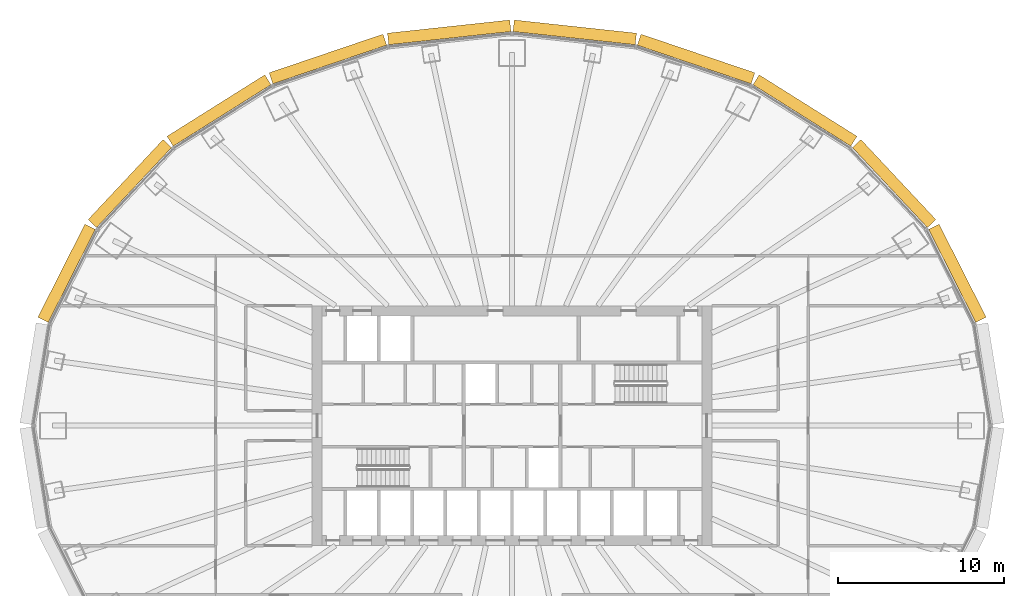
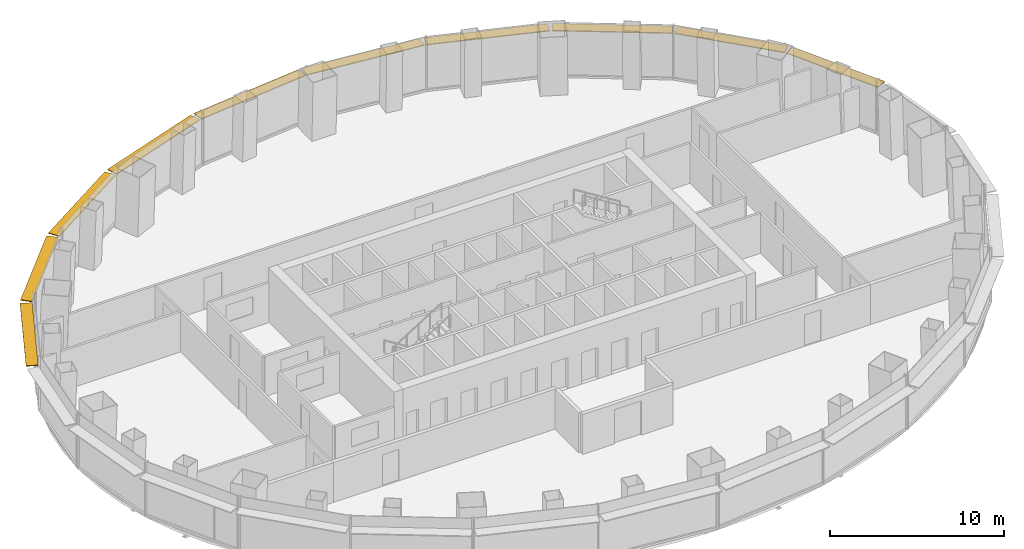
# One storey, part 13 of 13: 10 shading devices.
"""IFC4 building model written with IfcOpenShell, lengths in metres."""

from ifc_helpers import new_model, si_unit, direction, frame, origin, origin_2d, place, context, subcontext, project, spatial, rectangle, extrude, material, layer, layer_set, type_object, element, save


model = new_model("IFC4")

# Units and contexts
model_context = context("Model", 3, precision=1e-05, world=origin(), true_north=direction((0.0, 1.0)))
body_context = subcontext(model_context, "Body", "Model", "MODEL_VIEW")
ifc_project = project(units=[si_unit("LENGTHUNIT", "METRE"), si_unit("AREAUNIT", "SQUARE_METRE"), si_unit("VOLUMEUNIT", "CUBIC_METRE"), si_unit("PLANEANGLEUNIT", "RADIAN"), si_unit("MASSUNIT", "GRAM", prefix="KILO")], contexts=[model_context])

# Site, building, storey
site_placement = place(None, origin())
site = spatial("IfcSite", under=ifc_project, at=site_placement, CompositionType="ELEMENT")
building_placement = place(site_placement, origin())
building = spatial("IfcBuilding", under=site, at=building_placement, Name="Siaravel Broadcast Tower", CompositionType="ELEMENT")
storey_placement = place(building_placement, frame((0.0, 0.0, 24.5)))
storey = spatial("IfcBuildingStorey", under=building, at=storey_placement, Name="L04", CompositionType="ELEMENT", Elevation=24.5)

# Shading devices
ifc_material = material(Name="Bronze anodised aluminium", Category="aluminium")
ifc_layer = layer(ifc_material, 0.06005859375)
ifc_layer_set = layer_set([ifc_layer], Name="Bronze anodised aluminium")
shading_device_type = type_object("IfcShadingDeviceType", Name="Brise-soleil band", PredefinedType="USERDEFINED", material=ifc_layer_set)
shading_device_1_placement = place(storey_placement, frame((26.75439453125, 9.15478515625, 3.070068359375), z_axis=(0.0, 0.0, 1.0), x_axis=(-0.451262289, 0.892391364, 0.0)))
element("IfcShadingDevice", 1, at=shading_device_1_placement, inside=storey, type_object=shading_device_type, Name="L04 brise-soleil band 02", ObjectType="SUNSHADE", PredefinedType="USERDEFINED", context=body_context, shape_type="SweptSolid", body=[
    extrude(rectangle(XDim=6.268310546875, YDim=0.699951171875, at=origin_2d()), origin(), (0.0, 0.0, 1.0), 0.06005859375),
])
shading_device_2_placement = place(storey_placement, frame((22.95556640625, 14.54541015625, 3.070068359375), z_axis=(0.0, 0.0, 1.0), x_axis=(-0.683655992, 0.729804415, 0.0)))
element("IfcShadingDevice", 2, at=shading_device_2_placement, inside=storey, type_object=shading_device_type, Name="L04 brise-soleil band 03", ObjectType="SUNSHADE", PredefinedType="USERDEFINED", context=body_context, shape_type="SweptSolid", body=[
    extrude(rectangle(XDim=6.584716796875, YDim=0.699951171875, at=origin_2d()), origin(), (0.0, 0.0, 1.0), 0.06005859375),
])
shading_device_3_placement = place(storey_placement, frame((17.599853515625, 18.93310546875, 3.070068359375), z_axis=(0.0, 0.0, 1.0), x_axis=(-0.846651365, 0.532147974, 0.0)))
element("IfcShadingDevice", 3, at=shading_device_3_placement, inside=storey, type_object=shading_device_type, Name="L04 brise-soleil band 04", ObjectType="SUNSHADE", PredefinedType="USERDEFINED", context=body_context, shape_type="SweptSolid", body=[
    extrude(rectangle(XDim=6.9326171875, YDim=0.699951171875, at=origin_2d()), origin(), (0.0, 0.0, 1.0), 0.06005859375),
])
shading_device_4_placement = place(storey_placement, frame((11.056884765625, 22.02783203125, 3.070068359375), z_axis=(0.0, 0.0, 1.0), x_axis=(-0.946977245, 0.321300635, 0.0)))
element("IfcShadingDevice", 4, at=shading_device_4_placement, inside=storey, type_object=shading_device_type, Name="L04 brise-soleil band 05", ObjectType="SUNSHADE", PredefinedType="USERDEFINED", context=body_context, shape_type="SweptSolid", body=[
    extrude(rectangle(XDim=7.220703125, YDim=0.699951171875, at=origin_2d()), origin(), (0.0, 0.0, 1.0), 0.06005859375),
])
for number, where, z_axis, x_axis, name in (
    (5, (3.77001953125, 23.627197265625, 3.070068359375), (0.0, 0.0, 1.0), (-0.994235667, 0.107216783, 0.0), "L04 brise-soleil band 06"),
    (6, (-3.77001953125, 23.627197265625, 3.070068359375), (0.0, 0.0, 1.0), (-0.994235667, -0.107216783, 0.0), "L04 brise-soleil band 07"),
):
    element("IfcShadingDevice", number, at=place(storey_placement, frame(where, z_axis=z_axis, x_axis=x_axis)), inside=storey, type_object=shading_device_type, Name=name, ObjectType="SUNSHADE", PredefinedType="USERDEFINED", context=body_context, shape_type="SweptSolid", body=[
        extrude(rectangle(XDim=7.3818359375, YDim=0.699951171875, at=origin_2d()), origin(), (0.0, 0.0, 1.0), 0.06005859375),
    ])
shading_device_5_placement = place(storey_placement, frame((-11.056884765625, 22.02783203125, 3.070068359375), z_axis=(0.0, 0.0, 1.0), x_axis=(-0.946977245, -0.321300635, 0.0)))
element("IfcShadingDevice", 7, at=shading_device_5_placement, inside=storey, type_object=shading_device_type, Name="L04 brise-soleil band 08", ObjectType="SUNSHADE", PredefinedType="USERDEFINED", context=body_context, shape_type="SweptSolid", body=[
    extrude(rectangle(XDim=7.220703125, YDim=0.699951171875, at=origin_2d()), origin(), (0.0, 0.0, 1.0), 0.06005859375),
])
shading_device_6_placement = place(storey_placement, frame((-17.599853515625, 18.93310546875, 3.070068359375), z_axis=(0.0, 0.0, 1.0), x_axis=(-0.846651365, -0.532147974, 0.0)))
element("IfcShadingDevice", 8, at=shading_device_6_placement, inside=storey, type_object=shading_device_type, Name="L04 brise-soleil band 09", ObjectType="SUNSHADE", PredefinedType="USERDEFINED", context=body_context, shape_type="SweptSolid", body=[
    extrude(rectangle(XDim=6.9326171875, YDim=0.699951171875, at=origin_2d()), origin(), (0.0, 0.0, 1.0), 0.06005859375),
])
shading_device_7_placement = place(storey_placement, frame((-22.95556640625, 14.54541015625, 3.070068359375), z_axis=(0.0, 0.0, 1.0), x_axis=(-0.683655992, -0.729804415, 0.0)))
element("IfcShadingDevice", 9, at=shading_device_7_placement, inside=storey, type_object=shading_device_type, Name="L04 brise-soleil band 10", ObjectType="SUNSHADE", PredefinedType="USERDEFINED", context=body_context, shape_type="SweptSolid", body=[
    extrude(rectangle(XDim=6.584716796875, YDim=0.699951171875, at=origin_2d()), origin(), (0.0, 0.0, 1.0), 0.06005859375),
])
shading_device_8_placement = place(storey_placement, frame((-26.75439453125, 9.15478515625, 3.070068359375), z_axis=(0.0, 0.0, 1.0), x_axis=(-0.451262289, -0.892391364, 0.0)))
element("IfcShadingDevice", 10, at=shading_device_8_placement, inside=storey, type_object=shading_device_type, Name="L04 brise-soleil band 11", ObjectType="SUNSHADE", PredefinedType="USERDEFINED", context=body_context, shape_type="SweptSolid", body=[
    extrude(rectangle(XDim=6.268310546875, YDim=0.699951171875, at=origin_2d()), origin(), (0.0, 0.0, 1.0), 0.06005859375),
])

save(model, "model.ifc")
